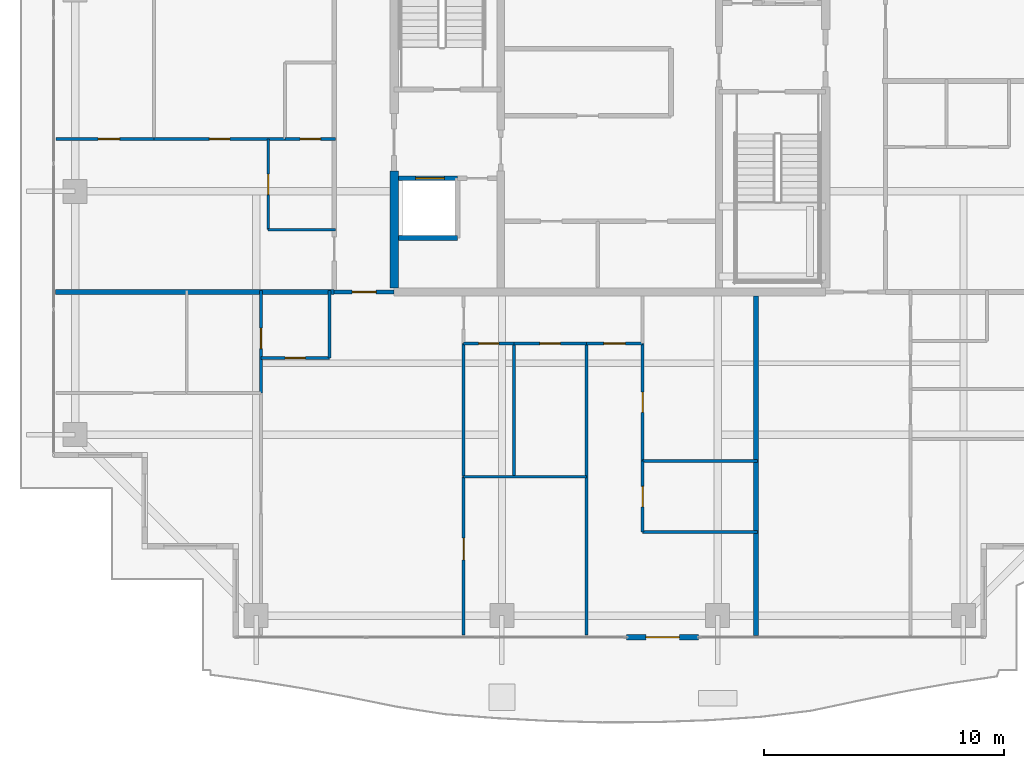
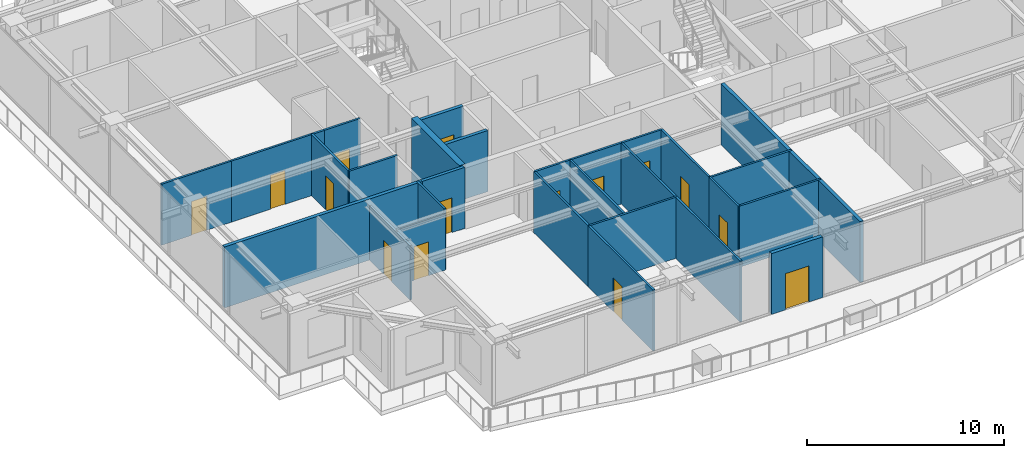
# One storey, part 31 of 42: 27 walls, 15 doors, 15 openings.
"""IFC4 building model written with IfcOpenShell, lengths in metres."""

from ifc_helpers import new_model, si_unit, direction, frame, frame_2d, origin, place, context, subcontext, project, spatial, rectangle, extrude, source, transform, mapped, material, layer, layer_set, type_object, element, fill, save


model = new_model("IFC4")

# Units and contexts
model_context = context("Model", 3, precision=1e-05, world=origin(), true_north=direction((0.0, 1.0)))
body_context = subcontext(model_context, "Body", "Model", "MODEL_VIEW")
ifc_project = project(units=[si_unit("LENGTHUNIT", "METRE"), si_unit("AREAUNIT", "SQUARE_METRE"), si_unit("VOLUMEUNIT", "CUBIC_METRE"), si_unit("PLANEANGLEUNIT", "RADIAN"), si_unit("MASSUNIT", "GRAM", prefix="KILO")], contexts=[model_context])

# Site, building, storey
site_placement = place(None, origin())
site = spatial("IfcSite", under=ifc_project, at=site_placement, CompositionType="ELEMENT")
building_placement = place(site_placement, origin())
building = spatial("IfcBuilding", under=site, at=building_placement, Name="Serunith Strait Residences", CompositionType="ELEMENT")
storey_placement = place(building_placement, frame((0.0, 0.0, 309.64990234375)))
storey = spatial("IfcBuildingStorey", under=building, at=storey_placement, Name="L77", CompositionType="ELEMENT", Elevation=309.64990234375)

# Wall, opening, door
ifc_material_1 = material(Name="Pale-Champagne Aluminium Insulated Panel", Category="aluminium")
ifc_layer_1 = layer(ifc_material_1, 0.219970703125, Name="Pale-Champagne Aluminium Insulated Panel")
ifc_layer_set_1 = layer_set([ifc_layer_1], Name="Pale-Champagne Aluminium Insulated Panel")
wall_type_1 = type_object("IfcWallType", Name="EW-ALUM-220", PredefinedType="ELEMENTEDWALL", material=ifc_layer_set_1)
wall_1_placement = place(storey_placement, frame((33.10009765625, 2.39990234375, 0.0), z_axis=(0.0, 0.0, 1.0), x_axis=(1.0, 0.0, 0.0)))
wall_1 = element("IfcWall", 1, at=wall_1_placement, inside=storey, type_object=wall_type_1, Name="L77 S Facade Pier Wall", PredefinedType="ELEMENTEDWALL", context=body_context, shape_type="SweptSolid", body=[
    extrude(rectangle(XDim=3.0, YDim=0.219970703125, at=frame_2d((1.5, 0.0))), origin(), (0.0, 0.0, 1.0), 3.775146484375),
])
opening_1_placement = place(wall_1_placement, frame((0.800048828125, 0.0, 0.0)))
opening_1 = element("IfcOpeningElement", 2, at=opening_1_placement, cuts=wall_1, Name="Opening ED-04", PredefinedType="OPENING", context=body_context, shape_type="SweptSolid", body=[
    extrude(rectangle(XDim=1.39990234375, YDim=2.25, at=frame_2d((0.699951171875, 1.125))), frame((0.0, 0.1201171875, 0.0), z_axis=(0.0, -1.0, 0.0), x_axis=(1.0, 0.0, 0.0)), (0.0, 0.0, 1.0), 0.239990234375),
])
ifc_material_2 = material(Name="Thermally-Broken Aluminium Sliding Balcony Door", Category="aluminium")
door_type_1 = type_object("IfcDoorType", Name="ED-BALC-1400", OperationType="NOTDEFINED", PredefinedType="DOOR", material=ifc_material_2)
shared_shape_1 = source(origin(), body_context, "Body", "SweptSolid", [
    extrude(rectangle(XDim=1.39990234375, YDim=2.25, at=frame_2d((0.699951171875, 1.125))), frame((0.0, 0.02490234375, 0.0), z_axis=(0.0, -1.0, 0.0), x_axis=(1.0, 0.0, 0.0)), (0.0, 0.0, 1.0), 0.050048828125),
])
door_1_placement = place(opening_1_placement, origin())
door_1 = element("IfcDoor", 3, at=door_1_placement, inside=storey, type_object=door_type_1, Name="L77 S Vertical-Forest Balcony Door", OperationType="SLIDING_TO_LEFT", OverallHeight=2.25, OverallWidth=1.39990234375, PredefinedType="DOOR", context=body_context, shape_type="MappedRepresentation", body=[
    mapped(shared_shape_1, transform((0.0, 0.0, 0.0), scale=1.0)),
])
fill(opening_1, door_1)

ifc_material_3 = material(Name="Fire-rated acoustic gypsum partition")
ifc_layer_2 = layer(ifc_material_3, 0.179931640625, Name="Fire-rated acoustic gypsum partition")
ifc_layer_set_2 = layer_set([ifc_layer_2], Name="Fire-rated acoustic gypsum partition")
wall_type_2 = type_object("IfcWallType", Name="IW-CORR-180", PredefinedType="PARTITIONING", material=ifc_layer_set_2)
wall_2_placement = place(storey_placement, frame((20.902099609375, 16.800048828125, 0.0), z_axis=(0.0, 0.0, 1.0), x_axis=(1.0, 0.0, 0.0)))
wall_2 = element("IfcWall", 4, at=wall_2_placement, inside=storey, type_object=wall_type_2, Name="L77 Partition Wall 024", PredefinedType="PARTITIONING", context=body_context, shape_type="SweptSolid", body=[
    extrude(rectangle(XDim=2.495849609375, YDim=0.179931640625, at=frame_2d((1.248046875, 0.0))), origin(), (0.0, 0.0, 1.0), 3.7900390625),
])
opening_2_placement = place(wall_2_placement, frame((0.748046875, 0.0, 0.0)))
opening_2 = element("IfcOpeningElement", 5, at=opening_2_placement, cuts=wall_2, Name="Opening D-APT1000", PredefinedType="OPENING", context=body_context, shape_type="SweptSolid", body=[
    extrude(rectangle(XDim=1.0, YDim=2.14990234375, at=frame_2d((0.5, 1.074951171875))), frame((0.0, 0.10009765625, 0.0), z_axis=(0.0, -1.0, 0.0), x_axis=(1.0, 0.0, 0.0)), (0.0, 0.0, 1.0), 0.199951171875),
])
ifc_material_4 = material(Name="Solid timber engineered fire door", Category="wood")
door_type_2 = type_object("IfcDoorType", Name="ID-APT-1000", OperationType="NOTDEFINED", PredefinedType="DOOR", material=ifc_material_4)
shared_shape_2 = source(origin(), body_context, "Body", "SweptSolid", [
    extrude(rectangle(XDim=1.0, YDim=2.14990234375, at=frame_2d((0.5, 1.074951171875))), frame((0.0, 0.02490234375, 0.0), z_axis=(0.0, -1.0, 0.0), x_axis=(1.0, 0.0, 0.0)), (0.0, 0.0, 1.0), 0.050048828125),
])
door_2_placement = place(opening_2_placement, origin())
door_2 = element("IfcDoor", 6, at=door_2_placement, inside=storey, type_object=door_type_2, Name="L77 Unit 01 Entrance Door", OperationType="SINGLE_SWING_RIGHT", OverallHeight=2.14990234375, OverallWidth=1.0, PredefinedType="DOOR", context=body_context, shape_type="MappedRepresentation", body=[
    mapped(shared_shape_2, transform((0.0, 0.0, 0.0), scale=1.0)),
])
fill(opening_2, door_2)

ifc_material_5 = material(Name="Lightweight steel-stud gypsum partition", Category="steel")
ifc_layer_3 = layer(ifc_material_5, 0.1201171875, Name="Lightweight steel-stud gypsum partition")
ifc_layer_set_3 = layer_set([ifc_layer_3], Name="Lightweight steel-stud gypsum partition")
wall_type_3 = type_object("IfcWallType", Name="IW-PART-120", PredefinedType="PARTITIONING", material=ifc_layer_set_3)
wall_3_placement = place(storey_placement, frame((17.85009765625, 14.050048828125, 0.0), z_axis=(0.0, 0.0, 1.0), x_axis=(1.0, 0.0, 0.0)))
wall_3 = element("IfcWall", 7, at=wall_3_placement, inside=storey, type_object=wall_type_3, Name="L77 Partition Wall 030", PredefinedType="PARTITIONING", context=body_context, shape_type="SweptSolid", body=[
    extrude(rectangle(XDim=2.849853515625, YDim=0.1201171875, at=frame_2d((1.4248046875, 0.0))), origin(), (0.0, 0.0, 1.0), 3.4921875),
])
opening_3_placement = place(wall_3_placement, frame((1.0, 0.0, 0.0)))
opening_3 = element("IfcOpeningElement", 8, at=opening_3_placement, cuts=wall_3, Name="Opening D-RM850", PredefinedType="OPENING", context=body_context, shape_type="SweptSolid", body=[
    extrude(rectangle(XDim=0.85009765625, YDim=2.10009765625, at=frame_2d((0.425048828125, 1.050048828125))), frame((0.0, 0.070068359375, 0.0), z_axis=(0.0, -1.0, 0.0), x_axis=(1.0, 0.0, 0.0)), (0.0, 0.0, 1.0), 0.14013671875),
])
ifc_material_6 = material(Name="Engineered timber flush study and kitchen door", Category="wood")
door_type_3 = type_object("IfcDoorType", Name="ID-ROOM-850", OperationType="NOTDEFINED", PredefinedType="DOOR", material=ifc_material_6)
shared_shape_3 = source(origin(), body_context, "Body", "SweptSolid", [
    extrude(rectangle(XDim=0.85009765625, YDim=2.10009765625, at=frame_2d((0.425048828125, 1.050048828125))), frame((0.0, 0.02490234375, 0.0), z_axis=(0.0, -1.0, 0.0), x_axis=(1.0, 0.0, 0.0)), (0.0, 0.0, 1.0), 0.050048828125),
])
door_3_placement = place(opening_3_placement, origin())
door_3 = element("IfcDoor", 9, at=door_3_placement, inside=storey, type_object=door_type_3, Name="L77 Kitchen 7701 Door", OperationType="SINGLE_SWING_RIGHT", OverallHeight=2.10009765625, OverallWidth=0.85009765625, PredefinedType="DOOR", context=body_context, shape_type="MappedRepresentation", body=[
    mapped(shared_shape_3, transform((0.0, 0.0, 0.0), scale=1.0)),
])
fill(opening_3, door_3)

# Wall
wall_4_placement = place(storey_placement, frame((20.699951171875, 14.050048828125, 0.0), z_axis=(0.0, 0.0, 1.0), x_axis=(0.0, 1.0, 0.0)))
element("IfcWall", 10, at=wall_4_placement, inside=storey, type_object=wall_type_3, Name="L77 Partition Wall 031", PredefinedType="PARTITIONING", context=body_context, shape_type="SweptSolid", body=[
    extrude(rectangle(XDim=2.81005859375, YDim=0.1201171875, at=frame_2d((1.405029296875, 0.0))), origin(), (0.0, 0.0, 1.0), 3.7900390625),
])

# Wall, opening, door
wall_5_placement = place(storey_placement, frame((17.85009765625, 12.594970703125, 0.0), z_axis=(0.0, 0.0, 1.0), x_axis=(0.0, 1.0, 0.0)))
wall_5 = element("IfcWall", 11, at=wall_5_placement, inside=storey, type_object=wall_type_3, Name="L77 Partition Wall 036", PredefinedType="PARTITIONING", context=body_context, shape_type="SweptSolid", body=[
    extrude(rectangle(XDim=4.26513671875, YDim=0.1201171875, at=frame_2d((2.132568359375, 0.0))), origin(), (0.0, 0.0, 1.0), 3.3720703125),
])
opening_4_placement = place(wall_5_placement, frame((1.846923828125, 0.0, 0.0)))
opening_4 = element("IfcOpeningElement", 12, at=opening_4_placement, cuts=wall_5, Name="Opening D-BTH850", PredefinedType="OPENING", context=body_context, shape_type="SweptSolid", body=[
    extrude(rectangle(XDim=0.85009765625, YDim=2.10009765625, at=frame_2d((0.425048828125, 1.050048828125))), frame((0.0, 0.070068359375, 0.0), z_axis=(0.0, -1.0, 0.0), x_axis=(1.0, 0.0, 0.0)), (0.0, 0.0, 1.0), 0.14013671875),
])
ifc_material_7 = material(Name="Moisture-resistant timber bathroom door", Category="wood")
door_type_4 = type_object("IfcDoorType", Name="ID-BATH-850", OperationType="NOTDEFINED", PredefinedType="DOOR", material=ifc_material_7)
door_4_placement = place(opening_4_placement, origin())
door_4 = element("IfcDoor", 13, at=door_4_placement, inside=storey, type_object=door_type_4, Name="L77 Bathroom 7701 Door", OperationType="SINGLE_SWING_LEFT", OverallHeight=2.10009765625, OverallWidth=0.85009765625, PredefinedType="DOOR", context=body_context, shape_type="MappedRepresentation", body=[
    mapped(shared_shape_3, transform((0.0, 0.0, 0.0), scale=1.0)),
])
fill(opening_4, door_4)

wall_6_placement = place(storey_placement, frame((26.300048828125, 2.4951171875, 0.0), z_axis=(0.0, 0.0, 1.0), x_axis=(0.0, 1.0, 0.0)))
wall_6 = element("IfcWall", 14, at=wall_6_placement, inside=storey, type_object=wall_type_3, Name="L77 Partition Wall 038", PredefinedType="PARTITIONING", context=body_context, shape_type="SweptSolid", body=[
    extrude(rectangle(XDim=6.599853515625, YDim=0.1201171875, at=frame_2d((3.2998046875, 0.0))), origin(), (0.0, 0.0, 1.0), 3.7900390625),
])
opening_5_placement = place(wall_6_placement, frame((3.135009765625, 0.0, 0.0)))
opening_5 = element("IfcOpeningElement", 15, at=opening_5_placement, cuts=wall_6, Name="Opening D-RM900", PredefinedType="OPENING", context=body_context, shape_type="SweptSolid", body=[
    extrude(rectangle(XDim=0.89990234375, YDim=2.10009765625, at=frame_2d((0.449951171875, 1.050048828125))), frame((0.0, 0.070068359375, 0.0), z_axis=(0.0, -1.0, 0.0), x_axis=(1.0, 0.0, 0.0)), (0.0, 0.0, 1.0), 0.14013671875),
])
ifc_material_8 = material(Name="Engineered timber flush bedroom door", Category="wood")
door_type_5 = type_object("IfcDoorType", Name="ID-ROOM-900", OperationType="NOTDEFINED", PredefinedType="DOOR", material=ifc_material_8)
shared_shape_4 = source(origin(), body_context, "Body", "SweptSolid", [
    extrude(rectangle(XDim=0.89990234375, YDim=2.10009765625, at=frame_2d((0.449951171875, 1.050048828125))), frame((0.0, 0.02490234375, 0.0), z_axis=(0.0, -1.0, 0.0), x_axis=(1.0, 0.0, 0.0)), (0.0, 0.0, 1.0), 0.050048828125),
])
door_5_placement = place(opening_5_placement, origin())
door_5 = element("IfcDoor", 16, at=door_5_placement, inside=storey, type_object=door_type_5, Name="L77 Formal Dining Room 2 7701 Door", OperationType="SINGLE_SWING_LEFT", OverallHeight=2.10009765625, OverallWidth=0.89990234375, PredefinedType="DOOR", context=body_context, shape_type="MappedRepresentation", body=[
    mapped(shared_shape_4, transform((0.0, 0.0, 0.0), scale=1.0)),
])
fill(opening_5, door_5)

# Walls
wall_7_placement = place(storey_placement, frame((26.300048828125, 9.096923828125, 0.0), z_axis=(0.0, 0.0, 1.0), x_axis=(0.0, 1.0, 0.0)))
element("IfcWall", 17, at=wall_7_placement, inside=storey, type_object=wall_type_3, Name="L77 Partition Wall 039", PredefinedType="PARTITIONING", context=body_context, shape_type="SweptSolid", body=[
    extrude(rectangle(XDim=5.551025390625, YDim=0.1201171875, at=frame_2d((2.775390625, 0.0))), origin(), (0.0, 0.0, 1.0), 3.7900390625),
])
wall_8_placement = place(storey_placement, frame((26.300048828125, 9.094970703125, 0.0), z_axis=(0.0, 0.0, 1.0), x_axis=(1.0, 0.0, 0.0)))
element("IfcWall", 18, at=wall_8_placement, inside=storey, type_object=wall_type_3, Name="L77 Partition Wall 040", PredefinedType="PARTITIONING", context=body_context, shape_type="SweptSolid", body=[
    extrude(rectangle(XDim=5.119873046875, YDim=0.1201171875, at=frame_2d((2.56005859375, 0.0))), origin(), (0.0, 0.0, 1.0), 3.7900390625),
])
wall_9_placement = place(storey_placement, frame((31.419921875, 2.4951171875, 0.0), z_axis=(0.0, 0.0, 1.0), x_axis=(0.0, 1.0, 0.0)))
element("IfcWall", 19, at=wall_9_placement, inside=storey, type_object=wall_type_3, Name="L77 Partition Wall 041", PredefinedType="PARTITIONING", context=body_context, shape_type="SweptSolid", body=[
    extrude(rectangle(XDim=12.15478515625, YDim=0.1201171875, at=frame_2d((6.077392578125, 0.0))), origin(), (0.0, 0.0, 1.0), 3.7900390625),
])
wall_10_placement = place(storey_placement, frame((28.39990234375, 9.094970703125, 0.0), z_axis=(0.0, 0.0, 1.0), x_axis=(0.0, 1.0, 0.0)))
element("IfcWall", 20, at=wall_10_placement, inside=storey, type_object=wall_type_3, Name="L77 Partition Wall 042", PredefinedType="PARTITIONING", context=body_context, shape_type="SweptSolid", body=[
    extrude(rectangle(XDim=5.554931640625, YDim=0.1201171875, at=frame_2d((2.77734375, 0.0))), origin(), (0.0, 0.0, 1.0), 3.7900390625),
])

# Wall, opening, door
wall_11_placement = place(storey_placement, frame((26.300048828125, 14.64990234375, 0.0), z_axis=(0.0, 0.0, 1.0), x_axis=(1.0, 0.0, 0.0)))
wall_11 = element("IfcWall", 21, at=wall_11_placement, inside=storey, type_object=wall_type_3, Name="L77 Partition Wall 043", PredefinedType="PARTITIONING", context=body_context, shape_type="SweptSolid", body=[
    extrude(rectangle(XDim=2.099853515625, YDim=0.1201171875, at=frame_2d((1.0498046875, 0.0))), origin(), (0.0, 0.0, 1.0), 3.7900390625),
])
opening_6_placement = place(wall_11_placement, frame((0.625, 0.0, 0.0)))
opening_6 = element("IfcOpeningElement", 22, at=opening_6_placement, cuts=wall_11, Name="Opening D-RM850", PredefinedType="OPENING", context=body_context, shape_type="SweptSolid", body=[
    extrude(rectangle(XDim=0.85009765625, YDim=2.10009765625, at=frame_2d((0.425048828125, 1.050048828125))), frame((0.0, 0.070068359375, 0.0), z_axis=(0.0, -1.0, 0.0), x_axis=(1.0, 0.0, 0.0)), (0.0, 0.0, 1.0), 0.14013671875),
])
door_6_placement = place(opening_6_placement, origin())
door_6 = element("IfcDoor", 23, at=door_6_placement, inside=storey, type_object=door_type_3, Name="L77 Study 7701 Door", OperationType="SINGLE_SWING_RIGHT", OverallHeight=2.10009765625, OverallWidth=0.85009765625, PredefinedType="DOOR", context=body_context, shape_type="MappedRepresentation", body=[
    mapped(shared_shape_3, transform((0.0, 0.0, 0.0), scale=1.0)),
])
fill(opening_6, door_6)

wall_12_placement = place(storey_placement, frame((28.402099609375, 14.64990234375, 0.0), z_axis=(0.0, 0.0, 1.0), x_axis=(1.0, 0.0, 0.0)))
wall_12 = element("IfcWall", 24, at=wall_12_placement, inside=storey, type_object=wall_type_3, Name="L77 Partition Wall 044", PredefinedType="PARTITIONING", context=body_context, shape_type="SweptSolid", body=[
    extrude(rectangle(XDim=3.017822265625, YDim=0.1201171875, at=frame_2d((1.5087890625, 0.0))), origin(), (0.0, 0.0, 1.0), 3.7900390625),
])
opening_7_placement = place(wall_12_placement, frame((1.083984375, 0.0, 0.0)))
opening_7 = element("IfcOpeningElement", 25, at=opening_7_placement, cuts=wall_12, Name="Opening D-RM850", PredefinedType="OPENING", context=body_context, shape_type="SweptSolid", body=[
    extrude(rectangle(XDim=0.85009765625, YDim=2.10009765625, at=frame_2d((0.425048828125, 1.050048828125))), frame((0.0, 0.070068359375, 0.0), z_axis=(0.0, -1.0, 0.0), x_axis=(1.0, 0.0, 0.0)), (0.0, 0.0, 1.0), 0.14013671875),
])
door_7_placement = place(opening_7_placement, origin())
door_7 = element("IfcDoor", 26, at=door_7_placement, inside=storey, type_object=door_type_3, Name="L77 Formal Dining Room 7701 Door", OperationType="SINGLE_SWING_LEFT", OverallHeight=2.10009765625, OverallWidth=0.85009765625, PredefinedType="DOOR", context=body_context, shape_type="MappedRepresentation", body=[
    mapped(shared_shape_3, transform((0.0, 0.0, 0.0), scale=1.0)),
])
fill(opening_7, door_7)

wall_13_placement = place(storey_placement, frame((31.422119140625, 14.64990234375, 0.0), z_axis=(0.0, 0.0, 1.0), x_axis=(1.0, 0.0, 0.0)))
wall_13 = element("IfcWall", 27, at=wall_13_placement, inside=storey, type_object=wall_type_3, Name="L77 Partition Wall 045", PredefinedType="PARTITIONING", context=body_context, shape_type="SweptSolid", body=[
    extrude(rectangle(XDim=2.347900390625, YDim=0.1201171875, at=frame_2d((1.173828125, 0.0))), origin(), (0.0, 0.0, 1.0), 3.7900390625),
])
opening_8_placement = place(wall_13_placement, frame((0.72412109375, 0.0, 0.0)))
opening_8 = element("IfcOpeningElement", 28, at=opening_8_placement, cuts=wall_13, Name="Opening D-RM900", PredefinedType="OPENING", context=body_context, shape_type="SweptSolid", body=[
    extrude(rectangle(XDim=0.89990234375, YDim=2.10009765625, at=frame_2d((0.449951171875, 1.050048828125))), frame((0.0, 0.070068359375, 0.0), z_axis=(0.0, -1.0, 0.0), x_axis=(1.0, 0.0, 0.0)), (0.0, 0.0, 1.0), 0.14013671875),
])
door_8_placement = place(opening_8_placement, origin())
door_8 = element("IfcDoor", 29, at=door_8_placement, inside=storey, type_object=door_type_5, Name="L77 Master Bedroom E 7701 Door", OperationType="SINGLE_SWING_RIGHT", OverallHeight=2.10009765625, OverallWidth=0.89990234375, PredefinedType="DOOR", context=body_context, shape_type="MappedRepresentation", body=[
    mapped(shared_shape_4, transform((0.0, 0.0, 0.0), scale=1.0)),
])
fill(opening_8, door_8)

# Walls
for number, where, z_axis, x_axis, name in (
    (30, (33.77001953125, 6.7880859375, 0.0), (0.0, 0.0, 1.0), (1.0, 0.0, 0.0), "L77 Partition Wall 046"),
    (31, (33.77001953125, 9.748046875, 0.0), (0.0, 0.0, 1.0), (1.0, 0.0, 0.0), "L77 Partition Wall 047"),
):
    element("IfcWall", number, at=place(storey_placement, frame(where, z_axis=z_axis, x_axis=x_axis)), inside=storey, type_object=wall_type_3, Name=name, PredefinedType="PARTITIONING", context=body_context, shape_type="SweptSolid", body=[
        extrude(rectangle(XDim=4.7900390625, YDim=0.1201171875, at=frame_2d((2.39501953125, 0.0))), origin(), (0.0, 0.0, 1.0), 3.7900390625),
    ])

# Wall, opening, door
wall_14_placement = place(storey_placement, frame((33.77001953125, 6.7880859375, 0.0), z_axis=(0.0, 0.0, 1.0), x_axis=(0.0, 1.0, 0.0)))
wall_14 = element("IfcWall", 32, at=wall_14_placement, inside=storey, type_object=wall_type_3, Name="L77 Partition Wall 048", PredefinedType="PARTITIONING", context=body_context, shape_type="SweptSolid", body=[
    extrude(rectangle(XDim=2.9599609375, YDim=0.1201171875, at=frame_2d((1.47998046875, 0.0))), origin(), (0.0, 0.0, 1.0), 3.7900390625),
])
opening_9_placement = place(wall_14_placement, frame((1.054931640625, 0.0, 0.0)))
opening_9 = element("IfcOpeningElement", 33, at=opening_9_placement, cuts=wall_14, Name="Opening D-BTH850", PredefinedType="OPENING", context=body_context, shape_type="SweptSolid", body=[
    extrude(rectangle(XDim=0.85009765625, YDim=2.10009765625, at=frame_2d((0.425048828125, 1.050048828125))), frame((0.0, 0.070068359375, 0.0), z_axis=(0.0, -1.0, 0.0), x_axis=(1.0, 0.0, 0.0)), (0.0, 0.0, 1.0), 0.14013671875),
])
door_9_placement = place(opening_9_placement, origin())
door_9 = element("IfcDoor", 34, at=door_9_placement, inside=storey, type_object=door_type_4, Name="L77 En-suite Bathroom E 7701 Door", OperationType="SINGLE_SWING_LEFT", OverallHeight=2.10009765625, OverallWidth=0.85009765625, PredefinedType="DOOR", context=body_context, shape_type="MappedRepresentation", body=[
    mapped(shared_shape_3, transform((0.0, 0.0, 0.0), scale=1.0)),
])
fill(opening_9, door_9)

wall_15_placement = place(storey_placement, frame((33.77001953125, 9.75, 0.0), z_axis=(0.0, 0.0, 1.0), x_axis=(0.0, 1.0, 0.0)))
wall_15 = element("IfcWall", 35, at=wall_15_placement, inside=storey, type_object=wall_type_3, Name="L77 Partition Wall 049", PredefinedType="PARTITIONING", context=body_context, shape_type="SweptSolid", body=[
    extrude(rectangle(XDim=4.89990234375, YDim=0.1201171875, at=frame_2d((2.449951171875, 0.0))), origin(), (0.0, 0.0, 1.0), 3.7900390625),
])
opening_10_placement = place(wall_15_placement, frame((2.02490234375, 0.0, 0.0)))
opening_10 = element("IfcOpeningElement", 36, at=opening_10_placement, cuts=wall_15, Name="Opening D-RM850", PredefinedType="OPENING", context=body_context, shape_type="SweptSolid", body=[
    extrude(rectangle(XDim=0.85009765625, YDim=2.10009765625, at=frame_2d((0.425048828125, 1.050048828125))), frame((0.0, 0.070068359375, 0.0), z_axis=(0.0, -1.0, 0.0), x_axis=(1.0, 0.0, 0.0)), (0.0, 0.0, 1.0), 0.14013671875),
])
door_10_placement = place(opening_10_placement, origin())
door_10 = element("IfcDoor", 37, at=door_10_placement, inside=storey, type_object=door_type_3, Name="L77 Wardrobe E 7701 Door", OperationType="SINGLE_SWING_RIGHT", OverallHeight=2.10009765625, OverallWidth=0.85009765625, PredefinedType="DOOR", context=body_context, shape_type="MappedRepresentation", body=[
    mapped(shared_shape_3, transform((0.0, 0.0, 0.0), scale=1.0)),
])
fill(opening_10, door_10)

wall_16_placement = place(storey_placement, frame((18.14990234375, 19.39990234375, 0.0), z_axis=(0.0, 0.0, 1.0), x_axis=(0.0, 1.0, 0.0)))
wall_16 = element("IfcWall", 38, at=wall_16_placement, inside=storey, type_object=wall_type_3, Name="L77 Partition Wall 081", PredefinedType="PARTITIONING", context=body_context, shape_type="SweptSolid", body=[
    extrude(rectangle(XDim=3.780029296875, YDim=0.1201171875, at=frame_2d((1.89013671875, 0.0))), origin(), (0.0, 0.0, 1.0), 3.7900390625),
])
opening_11_placement = place(wall_16_placement, frame((1.465087890625, 0.0, 0.0)))
opening_11 = element("IfcOpeningElement", 39, at=opening_11_placement, cuts=wall_16, Name="Opening D-RM850", PredefinedType="OPENING", context=body_context, shape_type="SweptSolid", body=[
    extrude(rectangle(XDim=0.85009765625, YDim=2.10009765625, at=frame_2d((0.425048828125, 1.050048828125))), frame((0.0, 0.070068359375, 0.0), z_axis=(0.0, -1.0, 0.0), x_axis=(1.0, 0.0, 0.0)), (0.0, 0.0, 1.0), 0.14013671875),
])
door_11_placement = place(opening_11_placement, origin())
door_11 = element("IfcDoor", 40, at=door_11_placement, inside=storey, type_object=door_type_3, Name="L77 Kitchen 7704 Door", OperationType="SINGLE_SWING_RIGHT", OverallHeight=2.10009765625, OverallWidth=0.85009765625, PredefinedType="DOOR", context=body_context, shape_type="MappedRepresentation", body=[
    mapped(shared_shape_3, transform((0.0, 0.0, 0.0), scale=1.0)),
])
fill(opening_11, door_11)

# Wall
wall_17_placement = place(storey_placement, frame((18.14990234375, 19.39990234375, 0.0), z_axis=(0.0, 0.0, 1.0), x_axis=(1.0, 0.0, 0.0)))
element("IfcWall", 41, at=wall_17_placement, inside=storey, type_object=wall_type_3, Name="L77 Partition Wall 082", PredefinedType="PARTITIONING", context=body_context, shape_type="SweptSolid", body=[
    extrude(rectangle(XDim=2.81005859375, YDim=0.1201171875, at=frame_2d((1.405029296875, 0.0))), origin(), (0.0, 0.0, 1.0), 3.7900390625),
])

# Wall, opening, door
wall_18_placement = place(storey_placement, frame((9.294921875, 23.179931640625, 0.0), z_axis=(0.0, 0.0, 1.0), x_axis=(1.0, 0.0, 0.0)))
wall_18 = element("IfcWall", 42, at=wall_18_placement, inside=storey, type_object=wall_type_3, Name="L77 Partition Wall 083", PredefinedType="PARTITIONING", context=body_context, shape_type="SweptSolid", body=[
    extrude(rectangle(XDim=4.093994140625, YDim=0.1201171875, at=frame_2d((2.046875, 0.0))), origin(), (0.0, 0.0, 1.0), 3.7900390625),
])
opening_12_placement = place(wall_18_placement, frame((1.757080078125, 0.0, 0.0)))
opening_12 = element("IfcOpeningElement", 43, at=opening_12_placement, cuts=wall_18, Name="Opening D-RM900", PredefinedType="OPENING", context=body_context, shape_type="SweptSolid", body=[
    extrude(rectangle(XDim=0.89990234375, YDim=2.10009765625, at=frame_2d((0.449951171875, 1.050048828125))), frame((0.0, 0.070068359375, 0.0), z_axis=(0.0, -1.0, 0.0), x_axis=(1.0, 0.0, 0.0)), (0.0, 0.0, 1.0), 0.14013671875),
])
door_12_placement = place(opening_12_placement, origin())
door_12 = element("IfcDoor", 44, at=door_12_placement, inside=storey, type_object=door_type_5, Name="L77 Master Bedroom 1 7704 Door", OperationType="SINGLE_SWING_LEFT", OverallHeight=2.10009765625, OverallWidth=0.89990234375, PredefinedType="DOOR", context=body_context, shape_type="MappedRepresentation", body=[
    mapped(shared_shape_4, transform((0.0, 0.0, 0.0), scale=1.0)),
])
fill(opening_12, door_12)

wall_19_placement = place(storey_placement, frame((13.39111328125, 23.179931640625, 0.0), z_axis=(0.0, 0.0, 1.0), x_axis=(1.0, 0.0, 0.0)))
wall_19 = element("IfcWall", 45, at=wall_19_placement, inside=storey, type_object=wall_type_3, Name="L77 Partition Wall 087", PredefinedType="PARTITIONING", context=body_context, shape_type="SweptSolid", body=[
    extrude(rectangle(XDim=5.458984375, YDim=0.1201171875, at=frame_2d((2.7294921875, 0.0))), origin(), (0.0, 0.0, 1.0), 3.7900390625),
])
opening_13_placement = place(wall_19_placement, frame((2.304931640625, 0.0, 0.0)))
opening_13 = element("IfcOpeningElement", 46, at=opening_13_placement, cuts=wall_19, Name="Opening D-RM850", PredefinedType="OPENING", context=body_context, shape_type="SweptSolid", body=[
    extrude(rectangle(XDim=0.85009765625, YDim=2.10009765625, at=frame_2d((0.425048828125, 1.050048828125))), frame((0.0, 0.070068359375, 0.0), z_axis=(0.0, -1.0, 0.0), x_axis=(1.0, 0.0, 0.0)), (0.0, 0.0, 1.0), 0.14013671875),
])
door_13_placement = place(opening_13_placement, origin())
door_13 = element("IfcDoor", 47, at=door_13_placement, inside=storey, type_object=door_type_3, Name="L77 Walk-in Wardrobe 7704 Door", OperationType="SINGLE_SWING_RIGHT", OverallHeight=2.10009765625, OverallWidth=0.85009765625, PredefinedType="DOOR", context=body_context, shape_type="MappedRepresentation", body=[
    mapped(shared_shape_3, transform((0.0, 0.0, 0.0), scale=1.0)),
])
fill(opening_13, door_13)

wall_20_placement = place(storey_placement, frame((18.85205078125, 23.179931640625, 0.0), z_axis=(0.0, 0.0, 1.0), x_axis=(1.0, 0.0, 0.0)))
wall_20 = element("IfcWall", 48, at=wall_20_placement, inside=storey, type_object=wall_type_3, Name="L77 Partition Wall 088", PredefinedType="PARTITIONING", context=body_context, shape_type="SweptSolid", body=[
    extrude(rectangle(XDim=2.10791015625, YDim=0.1201171875, at=frame_2d((1.053955078125, 0.0))), origin(), (0.0, 0.0, 1.0), 3.7900390625),
])
opening_14_placement = place(wall_20_placement, frame((0.62890625, 0.0, 0.0)))
opening_14 = element("IfcOpeningElement", 49, at=opening_14_placement, cuts=wall_20, Name="Opening D-BTH850", PredefinedType="OPENING", context=body_context, shape_type="SweptSolid", body=[
    extrude(rectangle(XDim=0.85009765625, YDim=2.10009765625, at=frame_2d((0.425048828125, 1.050048828125))), frame((0.0, 0.070068359375, 0.0), z_axis=(0.0, -1.0, 0.0), x_axis=(1.0, 0.0, 0.0)), (0.0, 0.0, 1.0), 0.14013671875),
])
door_14_placement = place(opening_14_placement, origin())
door_14 = element("IfcDoor", 50, at=door_14_placement, inside=storey, type_object=door_type_4, Name="L77 Bathroom 7704 Door", OperationType="SINGLE_SWING_LEFT", OverallHeight=2.10009765625, OverallWidth=0.85009765625, PredefinedType="DOOR", context=body_context, shape_type="MappedRepresentation", body=[
    mapped(shared_shape_3, transform((0.0, 0.0, 0.0), scale=1.0)),
])
fill(opening_14, door_14)

# Walls
ifc_material_9 = material(Name="Twin-stud acoustic gypsum board partition")
ifc_layer_4 = layer(ifc_material_9, 0.199951171875, Name="Twin-stud acoustic gypsum board partition")
ifc_layer_set_4 = layer_set([ifc_layer_4], Name="Twin-stud acoustic gypsum board partition")
wall_type_4 = type_object("IfcWallType", Name="IW-PARTY-200", PredefinedType="PARTITIONING", material=ifc_layer_set_4)
wall_21_placement = place(storey_placement, frame((38.5, 2.48193359375, 0.0), z_axis=(0.0, 0.0, 1.0), x_axis=(0.0, 1.0, 0.0)))
element("IfcWall", 51, at=wall_21_placement, inside=storey, type_object=wall_type_4, Name="L77 Partition Wall 018", PredefinedType="PARTITIONING", context=body_context, shape_type="SweptSolid", body=[
    extrude(rectangle(XDim=14.14306640625, YDim=0.199951171875, at=frame_2d((7.071533203125, 0.0))), origin(), (0.0, 0.0, 1.0), 3.7900390625),
])
wall_22_placement = place(storey_placement, frame((9.281982421875, 16.800048828125, 0.0), z_axis=(0.0, 0.0, 1.0), x_axis=(1.0, 0.0, 0.0)))
element("IfcWall", 52, at=wall_22_placement, inside=storey, type_object=wall_type_4, Name="L77 Partition Wall 020", PredefinedType="PARTITIONING", context=body_context, shape_type="SweptSolid", body=[
    extrude(rectangle(XDim=11.617919921875, YDim=0.199951171875, at=frame_2d((5.80908203125, 0.0))), origin(), (0.0, 0.0, 1.0), 3.7900390625),
])

# Wall, opening, door
ifc_material_10 = material(Name="Autoclaved aerated concrete blockwork", Category="masonry")
ifc_layer_5 = layer(ifc_material_10, 0.199951171875, Name="Autoclaved aerated concrete blockwork")
ifc_layer_set_5 = layer_set([ifc_layer_5], Name="Autoclaved aerated concrete blockwork")
wall_type_5 = type_object("IfcWallType", Name="IW-SHAFT-200", PredefinedType="STANDARD", material=ifc_layer_set_5)
wall_23_placement = place(storey_placement, frame((23.574951171875, 21.550048828125, 0.0), z_axis=(0.0, 0.0, 1.0), x_axis=(1.0, 0.0, 0.0)))
wall_23 = element("IfcWall", 53, at=wall_23_placement, inside=storey, type_object=wall_type_5, Name="L77 FL-1 North Shaft Wall", PredefinedType="STANDARD", context=body_context, shape_type="SweptSolid", body=[
    extrude(rectangle(XDim=2.47509765625, YDim=0.199951171875, at=frame_2d((1.237548828125, 0.0))), origin(), (0.0, 0.0, 1.0), 3.7900390625),
])
opening_15_placement = place(wall_23_placement, frame((0.72509765625, 0.0, 0.0)))
opening_15 = element("IfcOpeningElement", 54, at=opening_15_placement, cuts=wall_23, Name="Opening LD-FF1200", PredefinedType="OPENING", context=body_context, shape_type="SweptSolid", body=[
    extrude(rectangle(XDim=1.199951171875, YDim=2.199951171875, at=frame_2d((0.60009765625, 1.10009765625))), frame((0.0, 0.10986328125, 0.0), z_axis=(0.0, -1.0, 0.0), x_axis=(1.0, 0.0, 0.0)), (0.0, 0.0, 1.0), 0.219970703125),
])
ifc_material_11 = material(Name="Brushed stainless steel landing door", Category="steel")
door_type_6 = type_object("IfcDoorType", Name="LD-FF-1200", OperationType="DOUBLE_DOOR_SLIDING", PredefinedType="DOOR", material=ifc_material_11)
shared_shape_5 = source(origin(), body_context, "Body", "SweptSolid", [
    extrude(rectangle(XDim=1.199951171875, YDim=2.199951171875, at=frame_2d((0.60009765625, 1.10009765625))), frame((0.0, 0.02490234375, 0.0), z_axis=(0.0, -1.0, 0.0), x_axis=(1.0, 0.0, 0.0)), (0.0, 0.0, 1.0), 0.050048828125),
])
door_15_placement = place(opening_15_placement, origin())
door_15 = element("IfcDoor", 55, at=door_15_placement, inside=storey, type_object=door_type_6, Name="L77 FL-1 Landing Door", OperationType="DOUBLE_DOOR_SLIDING", OverallHeight=2.199951171875, OverallWidth=1.199951171875, PredefinedType="DOOR", context=body_context, shape_type="MappedRepresentation", body=[
    mapped(shared_shape_5, transform((0.0, 0.0, 0.0), scale=1.0)),
])
fill(opening_15, door_15)

# Walls
wall_24_placement = place(storey_placement, frame((23.574951171875, 19.050048828125, 0.0), z_axis=(0.0, 0.0, 1.0), x_axis=(1.0, 0.0, 0.0)))
element("IfcWall", 56, at=wall_24_placement, inside=storey, type_object=wall_type_5, Name="L77 Partition Wall 002", PredefinedType="STANDARD", context=body_context, shape_type="SweptSolid", body=[
    extrude(rectangle(XDim=2.47509765625, YDim=0.199951171875, at=frame_2d((1.237548828125, 0.0))), origin(), (0.0, 0.0, 1.0), 3.7900390625),
])
ifc_material_12 = material(Name="Concrete C60/75", Category="concrete")
ifc_layer_6 = layer(ifc_material_12, 0.35009765625, Name="Concrete C60/75")
ifc_layer_set_6 = layer_set([ifc_layer_6], Name="Concrete C60/75")
wall_type_6 = type_object("IfcWallType", Name="SW-350-C60", PredefinedType="SHEAR", material=ifc_layer_set_6)
wall_25_placement = place(storey_placement, frame((23.39990234375, 16.97509765625, -0.260009765625), z_axis=(0.0, 0.0, 1.0), x_axis=(0.0, 1.0, 0.0)))
element("IfcWall", 57, at=wall_25_placement, inside=storey, type_object=wall_type_6, Name="L77 Core West Shear Wall South Pier", PredefinedType="SHEAR", context=body_context, shape_type="SweptSolid", body=[
    extrude(rectangle(XDim=4.875, YDim=0.35009765625, at=frame_2d((2.4375, 0.0))), origin(), (0.0, 0.0, 1.0), 4.048095703125),
])

save(model, "model.ifc")
